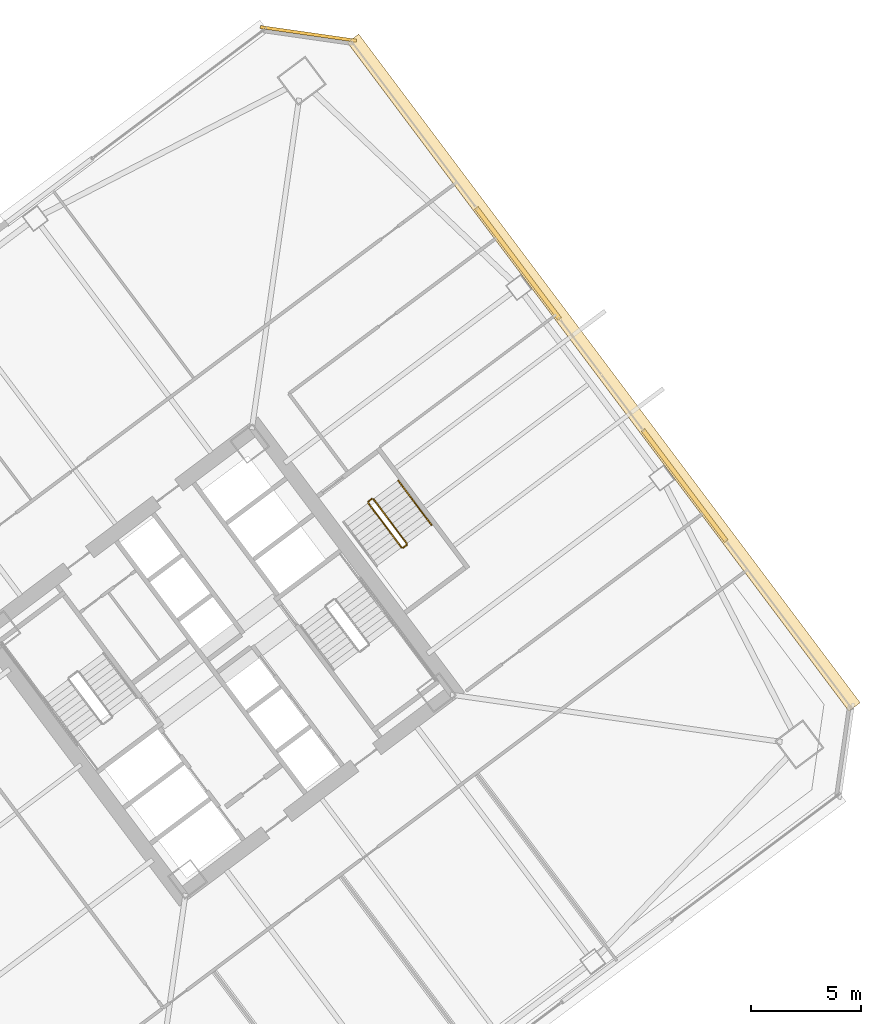
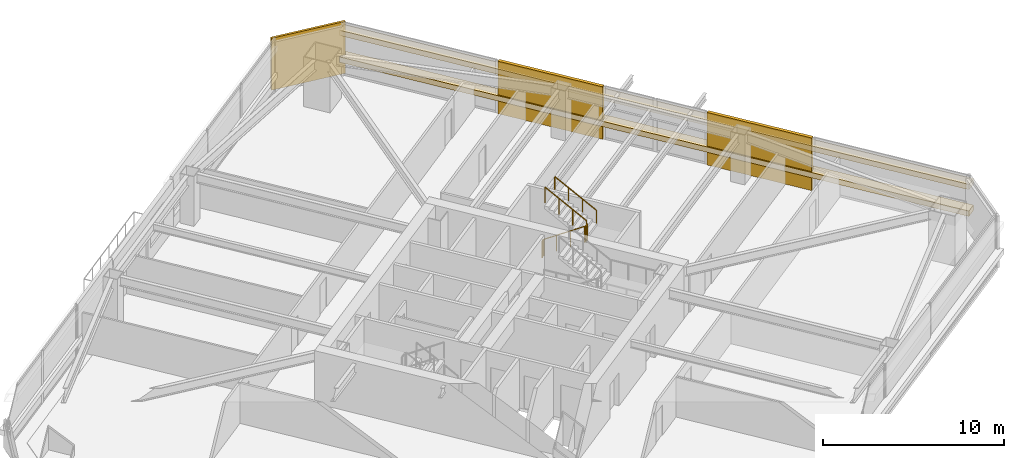
# One storey, part 46 of 46: 5 coverings, 5 railings.
"""IFC4 building model written with IfcOpenShell, lengths in metres."""

from ifc_helpers import new_model, si_unit, direction, frame, origin, origin_2d, place, context, subcontext, project, spatial, rectangle, extrude, material, layer, layer_set, type_object, element, save


model = new_model("IFC4")

# Units and contexts
model_context = context("Model", 3, precision=1e-05, world=origin(), true_north=direction((0.0, 1.0)))
body_context = subcontext(model_context, "Body", "Model", "MODEL_VIEW")
ifc_project = project(units=[si_unit("LENGTHUNIT", "METRE"), si_unit("AREAUNIT", "SQUARE_METRE"), si_unit("VOLUMEUNIT", "CUBIC_METRE"), si_unit("PLANEANGLEUNIT", "RADIAN"), si_unit("MASSUNIT", "GRAM", prefix="KILO")], contexts=[model_context])

# Site, building, storey
site_placement = place(None, origin())
site = spatial("IfcSite", under=ifc_project, at=site_placement, CompositionType="ELEMENT")
building_placement = place(site_placement, origin())
building = spatial("IfcBuilding", under=site, at=building_placement, Name="Tashvorn Skyway Center", CompositionType="ELEMENT")
storey_placement = place(building_placement, frame((0.0, 0.0, 38.800048828125)))
storey = spatial("IfcBuildingStorey", under=building, at=storey_placement, Name="L09", CompositionType="ELEMENT", Elevation=38.800048828125)

# Coverings
ifc_material_1 = material(Name="Precast concrete C40/50", Category="concrete")
ifc_layer_1 = layer(ifc_material_1, 0.199951171875)
ifc_layer_set_1 = layer_set([ifc_layer_1], Name="Precast concrete C40/50")
covering_type_1 = type_object("IfcCoveringType", Name="COV-BRACE-CLAD", PredefinedType="CLADDING", material=ifc_layer_set_1)
for number, where, z_axis, x_axis, name in (
    (1, (127.568115234375, 50.042724609375, 0.0), (0.0, 0.0, 1.0), (0.600000004945, -0.799999996291, 0.0), "Tower 2 L09 East Unitised Curtain Wall Mega-Brace Cladding Band 1"),
    (2, (135.1201171875, 39.973388671875, 0.0), (0.0, 0.0, 1.0), (0.600000004945, -0.799999996291, 0.0), "Tower 2 L09 East Unitised Curtain Wall Mega-Brace Cladding Band 2"),
):
    element("IfcCovering", number, at=place(storey_placement, frame(where, z_axis=z_axis, x_axis=x_axis)), inside=storey, type_object=covering_type_1, Name=name, PredefinedType="CLADDING", context=body_context, shape_type="SweptSolid", body=[
        extrude(rectangle(XDim=6.29345703125, YDim=0.199951171875, at=origin_2d()), origin(), (0.0, 0.0, 1.0), 3.550048828125),
    ])
ifc_material_2 = material(Name="Perforated ceramic-coated bronze aluminium solar screen", Category="aluminium")
ifc_layer_2 = layer(ifc_material_2, 0.85009765625)
ifc_layer_set_2 = layer_set([ifc_layer_2], Name="Perforated ceramic-coated bronze aluminium solar screen")
covering_type_2 = type_object("IfcCoveringType", Name="COV-SOLAR-BAND", PredefinedType="CLADDING", material=ifc_layer_set_2)
for number, where, z_axis, x_axis, name in (
    (3, (131.4560546875, 45.092041015625, 0.919921875), (0.0, 0.0, 1.0), (0.600000004945, -0.799999996291, 0.0), "L09 Perforated Ceramic-Metal Solar Screen Louvre Band East 1"),
    (4, (131.4560546875, 45.092041015625, 2.7197265625), (0.0, 0.0, 1.0), (0.600000004945, -0.799999996291, 0.0), "L09 Perforated Ceramic-Metal Solar Screen Louvre Band East 2"),
):
    element("IfcCovering", number, at=place(storey_placement, frame(where, z_axis=z_axis, x_axis=x_axis)), inside=storey, type_object=covering_type_2, Name=name, PredefinedType="CLADDING", context=body_context, shape_type="SweptSolid", body=[
        extrude(rectangle(XDim=37.8798828125, YDim=0.639892578125, at=origin_2d()), origin(), (0.0, 0.0, 1.0), 0.360107421875),
    ])
ifc_layer_3 = layer(ifc_material_1, 0.35009765625)
ifc_layer_set_3 = layer_set([ifc_layer_3], Name="Precast concrete C40/50")
covering_type_3 = type_object("IfcCoveringType", Name="COV-STONE-TRIM", PredefinedType="CLADDING", material=ifc_layer_set_3)
covering_placement = place(storey_placement, frame((118.06396484375, 60.447998046875, 0.02001953125), z_axis=(0.0, 0.0, 1.0), x_axis=(0.989949494535, -0.141421350118, 0.0)))
element("IfcCovering", 5, at=covering_placement, inside=storey, type_object=covering_type_3, Name="Tower 2 L09 NE Mojave Limestone Corner Quoin", PredefinedType="CLADDING", context=body_context, shape_type="SweptSolid", body=[
    extrude(rectangle(XDim=4.402587890625, YDim=0.139892578125, at=origin_2d()), origin(), (0.0, 0.0, 1.0), 3.510009765625),
])

# Railings
ifc_material_3 = material(Name="Brushed stainless steel 316", Category="steel")
railing_type_1 = type_object("IfcRailingType", Name="RAIL-HAND-920", PredefinedType="HANDRAIL", material=ifc_material_3)
railing_1_placement = place(storey_placement, frame((123.64794921875, 38.18603515625, 1.952392578125)))
element("IfcRailing", 6, at=railing_1_placement, inside=storey, type_object=railing_type_1, Name="L09 ST-T2-3 stair handrail 2", PredefinedType="HANDRAIL", context=body_context, shape_type="SweptSolid", body=[
    extrude(rectangle(XDim=0.048095703125, YDim=0.048095703125, at=origin_2d()), frame((0.0, 0.0, 0.8759765625), z_axis=(-0.50674661542, 0.675634878657, 0.535467439255), x_axis=(-0.79998837352, -0.60001550166, 0.0)), (0.0, 0.0, 1.0), 2.983642578125),
    extrude(rectangle(XDim=0.0419921875, YDim=0.0419921875, at=origin_2d()), origin(), (0.0, 0.0, 1.0), 0.851806640625),
    extrude(rectangle(XDim=0.0419921875, YDim=0.0419921875, at=origin_2d()), frame((-0.50390625, 0.671875, 0.532470703125)), (0.0, 0.0, 1.0), 0.851806640625),
    extrude(rectangle(XDim=0.0419921875, YDim=0.0419921875, at=origin_2d()), frame((-1.008056640625, 1.343994140625, 1.065185546875)), (0.0, 0.0, 1.0), 0.851806640625),
    extrude(rectangle(XDim=0.0419921875, YDim=0.0419921875, at=origin_2d()), frame((-1.511962890625, 2.015869140625, 1.59765625)), (0.0, 0.0, 1.0), 0.851806640625),
])
ifc_material_4 = material(Name="Painted galvanized steel S355", Category="steel")
railing_type_2 = type_object("IfcRailingType", Name="RAIL-STGUARD-1100", PredefinedType="GUARDRAIL", material=ifc_material_4)
railing_2_placement = place(storey_placement, frame((120.77587890625, 39.181884765625, 0.177490234375)))
element("IfcRailing", 7, at=railing_2_placement, inside=storey, type_object=railing_type_2, Name="L09 ST-T2-3 stair guard 1", PredefinedType="GUARDRAIL", context=body_context, shape_type="SweptSolid", body=[
    extrude(rectangle(XDim=0.048095703125, YDim=0.048095703125, at=origin_2d()), frame((0.0, 0.0, 1.076171875), z_axis=(0.506829628838, -0.67563646195, 0.535386868177), x_axis=(0.799941867976, 0.600077501544, 0.0)), (0.0, 0.0, 1.0), 2.983642578125),
    extrude(rectangle(XDim=0.0419921875, YDim=0.0419921875, at=origin_2d()), origin(), (0.0, 0.0, 1.0), 1.052001953125),
    extrude(rectangle(XDim=0.0419921875, YDim=0.0419921875, at=origin_2d()), frame((0.504150390625, -0.671875, 0.532470703125)), (0.0, 0.0, 1.0), 1.052001953125),
    extrude(rectangle(XDim=0.0419921875, YDim=0.0419921875, at=origin_2d()), frame((1.008056640625, -1.343994140625, 1.06494140625)), (0.0, 0.0, 1.0), 1.052001953125),
    extrude(rectangle(XDim=0.0419921875, YDim=0.0419921875, at=origin_2d()), frame((1.51220703125, -2.015869140625, 1.597412109375)), (0.0, 0.0, 1.0), 1.052001953125),
])
railing_3_placement = place(storey_placement, frame((122.35791015625, 37.156005859375, 1.77490234375)))
element("IfcRailing", 8, at=railing_3_placement, inside=storey, type_object=railing_type_2, Name="L09 ST-T2-3 stair guard 2", PredefinedType="GUARDRAIL", context=body_context, shape_type="SweptSolid", body=[
    extrude(rectangle(XDim=0.048095703125, YDim=0.048095703125, at=origin_2d()), frame((0.0, 0.0, 1.076171875), z_axis=(0.800585412921, 0.599218655098, 0.0), x_axis=(-0.599218655098, 0.800585412921, 0.0)), (0.0, 0.0, 1.0), 0.199951171875),
    extrude(rectangle(XDim=0.0419921875, YDim=0.0419921875, at=origin_2d()), origin(), (0.0, 0.0, 1.0), 1.052001953125),
    extrude(rectangle(XDim=0.0419921875, YDim=0.0419921875, at=origin_2d()), frame((0.16015625, 0.119873046875, 0.0)), (0.0, 0.0, 1.0), 1.052001953125),
])
railing_4_placement = place(storey_placement, frame((122.528076171875, 37.345947265625, 1.952392578125)))
element("IfcRailing", 9, at=railing_4_placement, inside=storey, type_object=railing_type_2, Name="L09 ST-T2-3 stair guard 3", PredefinedType="GUARDRAIL", context=body_context, shape_type="SweptSolid", body=[
    extrude(rectangle(XDim=0.048095703125, YDim=0.048095703125, at=origin_2d()), frame((0.0, 0.0, 1.076171875), z_axis=(-0.506718600913, 0.675679348675, 0.535437836974), x_axis=(-0.800023250257, -0.599968998406, 0.0)), (0.0, 0.0, 1.0), 2.98388671875),
    extrude(rectangle(XDim=0.0419921875, YDim=0.0419921875, at=origin_2d()), origin(), (0.0, 0.0, 1.0), 1.052001953125),
    extrude(rectangle(XDim=0.0419921875, YDim=0.0419921875, at=origin_2d()), frame((-0.50390625, 0.672119140625, 0.532470703125)), (0.0, 0.0, 1.0), 1.052001953125),
    extrude(rectangle(XDim=0.0419921875, YDim=0.0419921875, at=origin_2d()), frame((-1.008056640625, 1.343994140625, 1.065185546875)), (0.0, 0.0, 1.0), 1.052001953125),
    extrude(rectangle(XDim=0.0419921875, YDim=0.0419921875, at=origin_2d()), frame((-1.511962890625, 2.01611328125, 1.59765625)), (0.0, 0.0, 1.0), 1.052001953125),
])
railing_5_placement = place(storey_placement, frame((120.785888671875, 39.251953125, 0.0)))
element("IfcRailing", 10, at=railing_5_placement, inside=storey, type_object=railing_type_2, Name="L09 ST-T2-3 stair guard 4", PredefinedType="GUARDRAIL", context=body_context, shape_type="SweptSolid", body=[
    extrude(rectangle(XDim=0.048095703125, YDim=0.048095703125, at=origin_2d()), frame((0.0, 0.0, 1.076171875), z_axis=(0.8, 0.6, 0.0), x_axis=(-0.6, 0.8, 0.0)), (0.0, 0.0, 1.0), 0.2001953125),
    extrude(rectangle(XDim=0.0419921875, YDim=0.0419921875, at=origin_2d()), origin(), (0.0, 0.0, 1.0), 1.052001953125),
    extrude(rectangle(XDim=0.0419921875, YDim=0.0419921875, at=origin_2d()), frame((0.16015625, 0.1201171875, 0.0)), (0.0, 0.0, 1.0), 1.052001953125),
])

save(model, "model.ifc")
